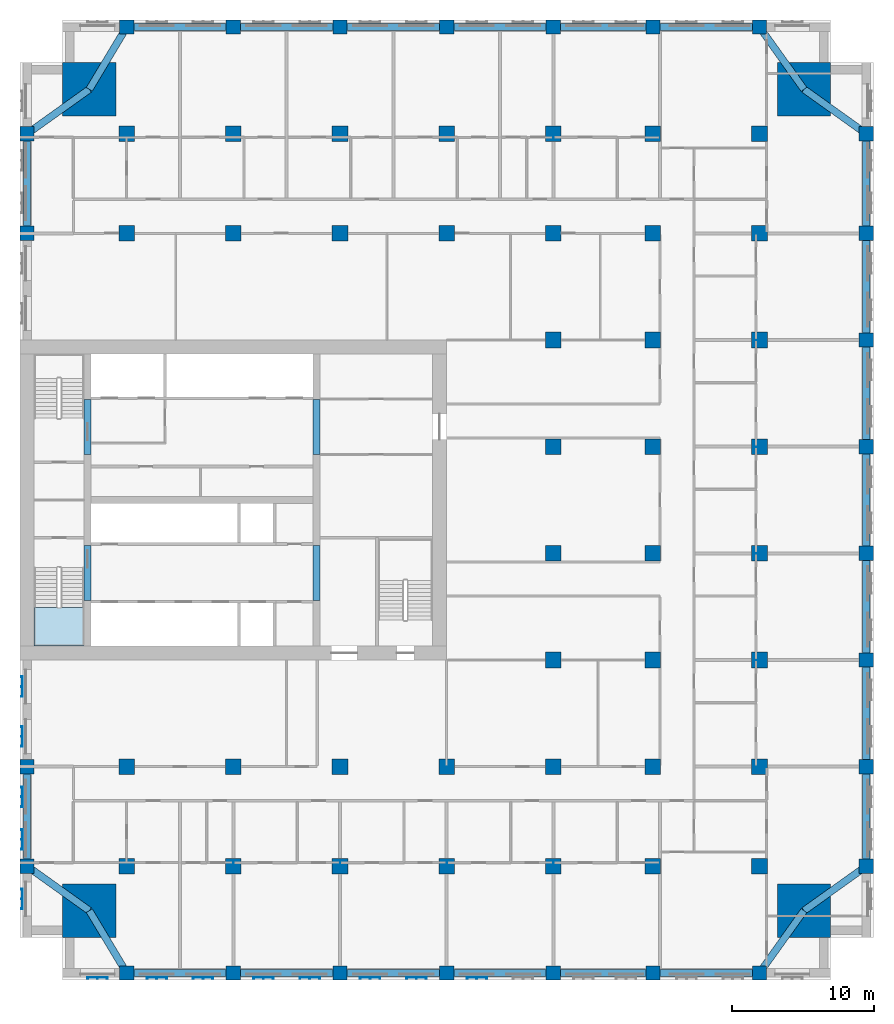
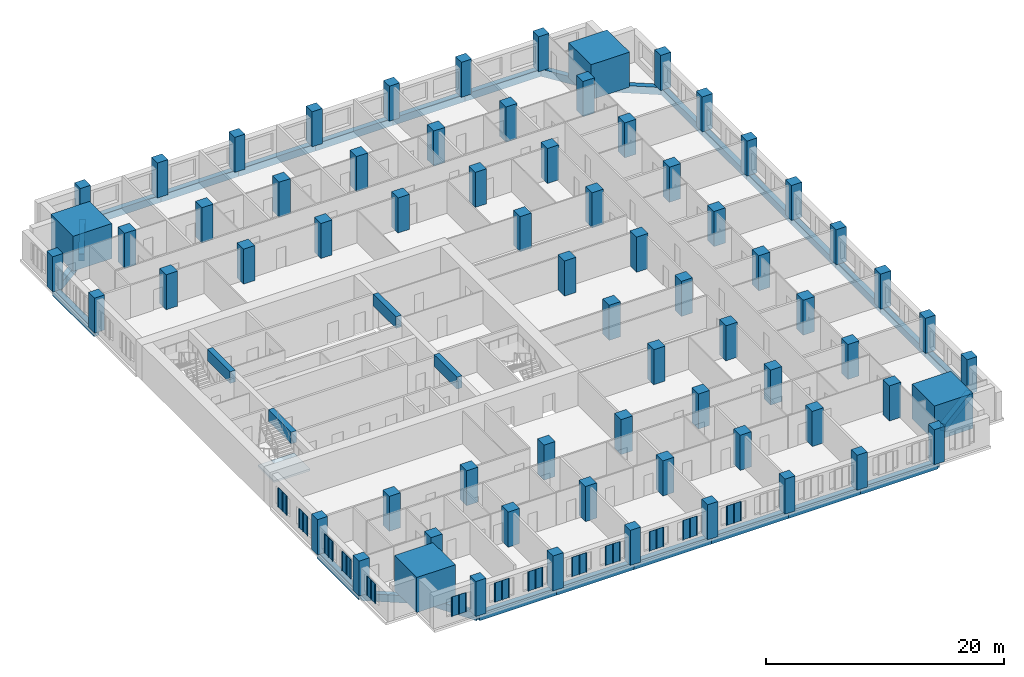
# One storey, part 1 of 14: 70 columns, 33 beams, 13 plates, 1 slab, 1 element without a shape of its own.
"""IFC4 building model written with IfcOpenShell, lengths in metres."""

import ifcopenshell
import ifcopenshell.guid

model = None  # the IFC model being written
_history = None  # IfcOwnerHistory: only IFC2X3 demands one
_inside = {}  # id of a spatial element -> (the spatial element, [elements in it])
_under = {}  # id of a project, library or spatial element -> (it, [spatial elements below it])
_declared = {}  # id of a project -> (the project, [libraries it declares])
_typed = {}  # id of a type object -> (the type object, [elements of that type])
_made_of = {}  # id of a material, layer set ... -> (it, [elements and type objects made of it])


def new_model(schema):
    """Start an empty IFC model of exactly this schema.

    Asked for "IFC4X3", IfcOpenShell would pick the latest addendum, in which some entities
    have other attributes; the version numbers below select the first issue.
    IFC2X3 requires an IfcOwnerHistory on every rooted entity: one is made here for all.
    """
    global model, _history
    if schema == "IFC4X3":
        model = ifcopenshell.file(schema_version=(4, 3, 0, 0))
    else:
        model = ifcopenshell.file(schema=schema)
    _inside.clear()
    _under.clear()
    _declared.clear()
    _typed.clear()
    _made_of.clear()
    _history = None
    if model.schema == "IFC2X3":
        org = make("IfcOrganization", Name="unknown")
        user = make(
            "IfcPersonAndOrganization",
            ThePerson=make("IfcPerson", FamilyName="unknown"),
            TheOrganization=org,
        )
        app = make(
            "IfcApplication",
            ApplicationDeveloper=org,
            Version="unknown",
            ApplicationFullName="unknown",
            ApplicationIdentifier="unknown",
        )
        _history = make(
            "IfcOwnerHistory",
            OwningUser=user,
            OwningApplication=app,
            ChangeAction="ADDED",
            CreationDate=0,
        )
    return model


def make(cls, **values):
    """One entity of the class cls with the attributes given. An attribute that is None is left unset."""
    return model.create_entity(
        cls, **{name: value for name, value in values.items() if value is not None}
    )


def rooted(cls, **values):
    """An entity with a GlobalId (a new one), such as an element, a storey or a relation."""
    return make(cls, GlobalId=ifcopenshell.guid.new(), OwnerHistory=_history, **values)


def si_unit(unit_type, name, prefix=None):
    """IfcSIUnit, for example si_unit("LENGTHUNIT", "METRE", prefix="MILLI")."""
    return make("IfcSIUnit", UnitType=unit_type, Prefix=prefix, Name=name)


def assignment(units):
    """IfcUnitAssignment: the units of a project."""
    return None if units is None else make("IfcUnitAssignment", Units=units)


def point(xyz):
    """IfcCartesianPoint."""
    return None if xyz is None else make("IfcCartesianPoint", Coordinates=xyz)


def direction(xyz):
    """IfcDirection."""
    return None if xyz is None else make("IfcDirection", DirectionRatios=xyz)


def frame(location, z_axis=None, x_axis=None):
    """IfcAxis2Placement3D, a coordinate frame: its origin and axes. An axis left out is left unset."""
    return make(
        "IfcAxis2Placement3D",
        Location=point(location),
        Axis=direction(z_axis),
        RefDirection=direction(x_axis),
    )


def frame_2d(location, x_axis=None):
    """IfcAxis2Placement2D, a coordinate frame in the plane: its origin and x axis."""
    return make(
        "IfcAxis2Placement2D", Location=point(location), RefDirection=direction(x_axis)
    )


def origin():
    """The frame at (0, 0, 0) with its axes left unset."""
    return frame((0.0, 0.0, 0.0))


def origin_2d():
    """The frame at (0, 0) in the plane with its x axis left unset."""
    return frame_2d((0.0, 0.0))


def place(relative_to, where):
    """IfcLocalPlacement: puts the frame where relative to a parent placement (None: the world)."""
    return make(
        "IfcLocalPlacement", PlacementRelTo=relative_to, RelativePlacement=where
    )


def context(
    kind, dimensions, precision=None, world=None, true_north=None, identifier=None
):
    """IfcGeometricRepresentationContext, for example the 3D "Model" context."""
    return make(
        "IfcGeometricRepresentationContext",
        ContextIdentifier=identifier,
        ContextType=kind,
        CoordinateSpaceDimension=dimensions,
        Precision=precision,
        WorldCoordinateSystem=world,
        TrueNorth=true_north,
    )


def subcontext(parent, identifier, kind, view, scale=None):
    """IfcGeometricRepresentationSubContext, for example "Body" below "Model"."""
    return make(
        "IfcGeometricRepresentationSubContext",
        ContextIdentifier=identifier,
        ContextType=kind,
        ParentContext=parent,
        TargetScale=scale,
        TargetView=view,
    )


def project(units=None, contexts=None):
    """IfcProject with its units and contexts."""
    return rooted(
        "IfcProject",
        Name="project",
        RepresentationContexts=contexts,
        UnitsInContext=assignment(units),
    )


def spatial(cls, under=None, at=None, **own):
    """A site, building, storey or space (cls), placed at a placement, below another one or the project."""
    s = rooted(cls, ObjectPlacement=at, **own)
    if under is not None:
        _under.setdefault(under.id(), (under, []))[1].append(s)
    return s


def polyline(points):
    """IfcPolyline through the points."""
    return make("IfcPolyline", Points=[point(p) for p in points])


def profile(cls, at=None, kind="AREA", **sizes):
    """A parametric profile (cls). Its sizes go by their IFC names, for example OverallWidth=200.0."""
    return make(cls, ProfileType=kind, Position=at, **sizes)


def rectangle(**sizes):
    """IfcRectangleProfileDef."""
    return profile("IfcRectangleProfileDef", **sizes)


def outline(outer, holes=None, kind="AREA"):
    """IfcArbitraryClosedProfileDef: a profile drawn as a closed curve; with holes, ...WithVoids."""
    if holes is None:
        return make("IfcArbitraryClosedProfileDef", ProfileType=kind, OuterCurve=outer)
    return make(
        "IfcArbitraryProfileDefWithVoids",
        ProfileType=kind,
        OuterCurve=outer,
        InnerCurves=holes,
    )


def extrude(swept, where, along, depth):
    """IfcExtrudedAreaSolid: the profile swept, set in the frame where, extruded along a direction by depth."""
    return make(
        "IfcExtrudedAreaSolid",
        SweptArea=swept,
        Position=where,
        ExtrudedDirection=direction(along),
        Depth=depth,
    )


def shape(context_of_items, identifier, shape_type, items):
    """IfcShapeRepresentation: the items that make up one representation, for example the "Body"."""
    return make(
        "IfcShapeRepresentation",
        ContextOfItems=context_of_items,
        RepresentationIdentifier=identifier,
        RepresentationType=shape_type,
        Items=items,
    )


def material(Name=None, Category=None):
    """IfcMaterial."""
    return make("IfcMaterial", Name=Name, Category=Category)


def layer(
    of_material, thickness, ventilated=None, Name=None, Category=None, Priority=None
):
    """IfcMaterialLayer: one layer of a wall or slab, of a material (None: an air gap)."""
    return make(
        "IfcMaterialLayer",
        Material=of_material,
        LayerThickness=thickness,
        IsVentilated=ventilated,
        Name=Name,
        Category=Category,
        Priority=Priority,
    )


def layer_set(layers, Name=None):
    """IfcMaterialLayerSet."""
    return make("IfcMaterialLayerSet", MaterialLayers=layers, LayerSetName=Name)


def material_profile(
    of_material, cross_section, Name=None, Category=None, Priority=None
):
    """IfcMaterialProfile: a cross section and its material."""
    return make(
        "IfcMaterialProfile",
        Name=Name,
        Material=of_material,
        Profile=cross_section,
        Priority=Priority,
        Category=Category,
    )


def profile_set(profiles, Name=None, composite=None):
    """IfcMaterialProfileSet."""
    return make(
        "IfcMaterialProfileSet",
        Name=Name,
        MaterialProfiles=profiles,
        CompositeProfile=composite,
    )


def made_of(thing, what):
    """Note that an element or type object is made of a material, layer set ...; save() writes the relation."""
    if what is not None:
        _made_of.setdefault(what.id(), (what, []))[1].append(thing)
    return thing


def type_object(cls, material=None, **own):
    """A type object (cls), such as IfcWallType, which elements share."""
    return made_of(rooted(cls, **own), material)


def element(
    cls,
    number,
    at=None,
    inside=None,
    cuts=None,
    type_object=None,
    material=None,
    context=None,
    identifier="Body",
    shape_type=None,
    held_by="IfcProductDefinitionShape",
    body=None,
    shapes=None,
    **own,
):
    """One element of the class cls, such as IfcWall. Its Tag is "e" and its number.

    at: its placement. inside: the storey or other place that contains it. cuts: it is an
    opening in that element (IfcRelVoidsElement). A single representation is given by context,
    identifier, shape_type and body (its items); several are given by shapes. held_by: the class
    of the entity that holds the representations. save() writes the other relations.
    """
    e = rooted(cls, Tag="e%d" % number, ObjectPlacement=at, **own)
    if body is not None:
        shapes = [shape(context, identifier, shape_type, body)]
    if shapes is not None:
        e.Representation = make(held_by, Representations=shapes)
    if inside is not None:
        _inside.setdefault(inside.id(), (inside, []))[1].append(e)
    if cuts is not None:
        rooted(
            "IfcRelVoidsElement", RelatingBuildingElement=cuts, RelatedOpeningElement=e
        )
    if type_object is not None:
        _typed.setdefault(type_object.id(), (type_object, []))[1].append(e)
    return made_of(e, material)


def aggregate(whole, parts):
    """IfcRelAggregates: a whole, such as a stair, and the parts it consists of."""
    return rooted("IfcRelAggregates", RelatingObject=whole, RelatedObjects=parts)


def save(model, path):
    """Write the relations noted so far, then the file.

    IfcRelAggregates (storeys below a building ...), IfcRelContainedInSpatialStructure (elements
    in a storey), IfcRelDefinesByType, IfcRelAssociatesMaterial and IfcRelDeclares: one each for
    every whole, place, type object, material and project.
    """
    for whole, parts in _under.values():
        aggregate(whole, parts)
    for where, things in _inside.values():
        rooted(
            "IfcRelContainedInSpatialStructure",
            RelatedElements=things,
            RelatingStructure=where,
        )
    for kind, things in _typed.values():
        rooted("IfcRelDefinesByType", RelatedObjects=things, RelatingType=kind)
    for what, things in _made_of.values():
        rooted("IfcRelAssociatesMaterial", RelatedObjects=things, RelatingMaterial=what)
    for by, libraries in _declared.values():
        rooted("IfcRelDeclares", RelatingContext=by, RelatedDefinitions=libraries)
    model.write(path)


model = new_model("IFC4")

# Units and contexts
model_context = context("Model", 3, precision=1e-05, world=origin(), true_north=direction((0.0, 1.0)))
body_context = subcontext(model_context, "Body", "Model", "MODEL_VIEW")
ifc_project = project(units=[si_unit("LENGTHUNIT", "METRE"), si_unit("AREAUNIT", "SQUARE_METRE"), si_unit("VOLUMEUNIT", "CUBIC_METRE"), si_unit("PLANEANGLEUNIT", "RADIAN"), si_unit("MASSUNIT", "GRAM", prefix="KILO")], contexts=[model_context])

# Site, building, storey
site_placement = place(None, origin())
site = spatial("IfcSite", under=ifc_project, at=site_placement, CompositionType="ELEMENT")
building_placement = place(site_placement, origin())
building = spatial("IfcBuilding", under=site, at=building_placement, Name="Tamorin Gate", CompositionType="ELEMENT")
storey_placement = place(building_placement, frame((0.0, 0.0, 86.300048828125)))
storey = spatial("IfcBuildingStorey", under=building, at=storey_placement, Name="L20", CompositionType="ELEMENT", Elevation=86.300048828125)

# Columns
ifc_material_1 = material(Name="Concrete C80/95", Category="concrete")
ifc_material_profile_1 = material_profile(ifc_material_1, rectangle(XDim=1.0, YDim=1.0, at=origin_2d()), Name="RC 1000x1000")
ifc_profile_set_1 = profile_set([ifc_material_profile_1], Name="Concrete C80/95")
column_type_1 = type_object("IfcColumnType", Name="RC column 1000x1000 C80/95", PredefinedType="COLUMN", material=ifc_profile_set_1)
for number, where, z_axis, x_axis, name in (
    (1, (30.5, 45.5, 0.0), (0.0, 0.0, 1.0), (1.0, 0.0, 0.0), "Ring column L20"),
    (2, (30.5, 52.5, 0.0), (0.0, 0.0, 1.0), (1.0, 0.0, 0.0), "Ring column L20"),
    (3, (30.5, 90.0, 0.0), (0.0, 0.0, 1.0), (1.0, 0.0, 0.0), "Ring column L20"),
    (4, (30.5, 97.0, 0.0), (0.0, 0.0, 1.0), (1.0, 0.0, 0.0), "Ring column L20"),
    (5, (37.5, 38.0, 0.0), (0.0, 0.0, 1.0), (1.0, 0.0, 0.0), "Ring column L20"),
    (6, (37.5, 104.5, 0.0), (0.0, 0.0, 1.0), (1.0, 0.0, 0.0), "Ring column L20"),
    (7, (45.0, 38.0, 0.0), (0.0, 0.0, 1.0), (1.0, 0.0, 0.0), "Ring column L20"),
    (8, (45.0, 104.5, 0.0), (0.0, 0.0, 1.0), (1.0, 0.0, 0.0), "Ring column L20"),
    (9, (52.5, 38.0, 0.0), (0.0, 0.0, 1.0), (1.0, 0.0, 0.0), "Ring column L20"),
    (10, (52.5, 104.5, 0.0), (0.0, 0.0, 1.0), (1.0, 0.0, 0.0), "Ring column L20"),
    (11, (60.0, 38.0, 0.0), (0.0, 0.0, 1.0), (1.0, 0.0, 0.0), "Ring column L20"),
    (12, (60.0, 104.5, 0.0), (0.0, 0.0, 1.0), (1.0, 0.0, 0.0), "Ring column L20"),
    (13, (67.5, 38.0, 0.0), (0.0, 0.0, 1.0), (1.0, 0.0, 0.0), "Ring column L20"),
    (14, (67.5, 104.5, 0.0), (0.0, 0.0, 1.0), (1.0, 0.0, 0.0), "Ring column L20"),
    (15, (74.5, 38.0, 0.0), (0.0, 0.0, 1.0), (1.0, 0.0, 0.0), "Ring column L20"),
    (16, (74.5, 104.5, 0.0), (0.0, 0.0, 1.0), (1.0, 0.0, 0.0), "Ring column L20"),
    (17, (82.0, 38.0, 0.0), (0.0, 0.0, 1.0), (1.0, 0.0, 0.0), "Ring column L20"),
    (18, (82.0, 104.5, 0.0), (0.0, 0.0, 1.0), (1.0, 0.0, 0.0), "Ring column L20"),
    (19, (89.5, 45.5, 0.0), (0.0, 0.0, 1.0), (1.0, 0.0, 0.0), "Ring column L20"),
    (20, (89.5, 52.5, 0.0), (0.0, 0.0, 1.0), (1.0, 0.0, 0.0), "Ring column L20"),
    (21, (89.5, 60.0, 0.0), (0.0, 0.0, 1.0), (1.0, 0.0, 0.0), "Ring column L20"),
    (22, (89.5, 67.5, 0.0), (0.0, 0.0, 1.0), (1.0, 0.0, 0.0), "Ring column L20"),
    (23, (89.5, 75.0, 0.0), (0.0, 0.0, 1.0), (1.0, 0.0, 0.0), "Ring column L20"),
    (24, (89.5, 82.5, 0.0), (0.0, 0.0, 1.0), (1.0, 0.0, 0.0), "Ring column L20"),
    (25, (89.5, 90.0, 0.0), (0.0, 0.0, 1.0), (1.0, 0.0, 0.0), "Ring column L20"),
    (26, (89.5, 97.0, 0.0), (0.0, 0.0, 1.0), (1.0, 0.0, 0.0), "Ring column L20"),
):
    element("IfcColumn", number, at=place(storey_placement, frame(where, z_axis=z_axis, x_axis=x_axis)), inside=storey, type_object=column_type_1, Name=name, PredefinedType="COLUMN", context=body_context, shape_type="SweptSolid", body=[
        extrude(rectangle(XDim=1.0, YDim=1.0, at=origin_2d()), origin(), (0.0, 0.0, 1.0), 3.599853515625),
    ])
ifc_material_profile_2 = material_profile(ifc_material_1, rectangle(XDim=1.10009765625, YDim=1.10009765625, at=origin_2d()), Name="RC 1100x1100")
ifc_profile_set_2 = profile_set([ifc_material_profile_2], Name="Concrete C80/95")
column_type_2 = type_object("IfcColumnType", Name="RC column 1100x1100 C80/95", PredefinedType="COLUMN", material=ifc_profile_set_2)
for number, where, z_axis, x_axis, name in (
    (27, (37.5, 45.5, 0.0), (0.0, 0.0, 1.0), (1.0, 0.0, 0.0), "Interior column L20"),
    (28, (37.5, 52.5, 0.0), (0.0, 0.0, 1.0), (1.0, 0.0, 0.0), "Interior column L20"),
    (29, (37.5, 90.0, 0.0), (0.0, 0.0, 1.0), (1.0, 0.0, 0.0), "Interior column L20"),
    (30, (37.5, 97.0, 0.0), (0.0, 0.0, 1.0), (1.0, 0.0, 0.0), "Interior column L20"),
    (31, (45.0, 45.5, 0.0), (0.0, 0.0, 1.0), (1.0, 0.0, 0.0), "Interior column L20"),
    (32, (45.0, 52.5, 0.0), (0.0, 0.0, 1.0), (1.0, 0.0, 0.0), "Interior column L20"),
    (33, (45.0, 90.0, 0.0), (0.0, 0.0, 1.0), (1.0, 0.0, 0.0), "Interior column L20"),
    (34, (45.0, 97.0, 0.0), (0.0, 0.0, 1.0), (1.0, 0.0, 0.0), "Interior column L20"),
    (35, (52.5, 45.5, 0.0), (0.0, 0.0, 1.0), (1.0, 0.0, 0.0), "Interior column L20"),
    (36, (52.5, 52.5, 0.0), (0.0, 0.0, 1.0), (1.0, 0.0, 0.0), "Interior column L20"),
    (37, (52.5, 90.0, 0.0), (0.0, 0.0, 1.0), (1.0, 0.0, 0.0), "Interior column L20"),
    (38, (52.5, 97.0, 0.0), (0.0, 0.0, 1.0), (1.0, 0.0, 0.0), "Interior column L20"),
    (39, (60.0, 45.5, 0.0), (0.0, 0.0, 1.0), (1.0, 0.0, 0.0), "Interior column L20"),
    (40, (60.0, 52.5, 0.0), (0.0, 0.0, 1.0), (1.0, 0.0, 0.0), "Interior column L20"),
    (41, (60.0, 90.0, 0.0), (0.0, 0.0, 1.0), (1.0, 0.0, 0.0), "Interior column L20"),
    (42, (60.0, 97.0, 0.0), (0.0, 0.0, 1.0), (1.0, 0.0, 0.0), "Interior column L20"),
    (43, (67.5, 45.5, 0.0), (0.0, 0.0, 1.0), (1.0, 0.0, 0.0), "Interior column L20"),
    (44, (67.5, 52.5, 0.0), (0.0, 0.0, 1.0), (1.0, 0.0, 0.0), "Interior column L20"),
    (45, (67.5, 60.0, 0.0), (0.0, 0.0, 1.0), (1.0, 0.0, 0.0), "Interior column L20"),
    (46, (67.5, 67.5, 0.0), (0.0, 0.0, 1.0), (1.0, 0.0, 0.0), "Interior column L20"),
    (47, (67.5, 75.0, 0.0), (0.0, 0.0, 1.0), (1.0, 0.0, 0.0), "Interior column L20"),
    (48, (67.5, 82.5, 0.0), (0.0, 0.0, 1.0), (1.0, 0.0, 0.0), "Interior column L20"),
    (49, (67.5, 90.0, 0.0), (0.0, 0.0, 1.0), (1.0, 0.0, 0.0), "Interior column L20"),
    (50, (67.5, 97.0, 0.0), (0.0, 0.0, 1.0), (1.0, 0.0, 0.0), "Interior column L20"),
    (51, (74.5, 45.5, 0.0), (0.0, 0.0, 1.0), (1.0, 0.0, 0.0), "Interior column L20"),
    (52, (74.5, 52.5, 0.0), (0.0, 0.0, 1.0), (1.0, 0.0, 0.0), "Interior column L20"),
    (53, (74.5, 60.0, 0.0), (0.0, 0.0, 1.0), (1.0, 0.0, 0.0), "Interior column L20"),
    (54, (74.5, 67.5, 0.0), (0.0, 0.0, 1.0), (1.0, 0.0, 0.0), "Interior column L20"),
    (55, (74.5, 75.0, 0.0), (0.0, 0.0, 1.0), (1.0, 0.0, 0.0), "Interior column L20"),
    (56, (74.5, 82.5, 0.0), (0.0, 0.0, 1.0), (1.0, 0.0, 0.0), "Interior column L20"),
    (57, (74.5, 90.0, 0.0), (0.0, 0.0, 1.0), (1.0, 0.0, 0.0), "Interior column L20"),
    (58, (74.5, 97.0, 0.0), (0.0, 0.0, 1.0), (1.0, 0.0, 0.0), "Interior column L20"),
    (59, (82.0, 45.5, 0.0), (0.0, 0.0, 1.0), (1.0, 0.0, 0.0), "Interior column L20"),
    (60, (82.0, 52.5, 0.0), (0.0, 0.0, 1.0), (1.0, 0.0, 0.0), "Interior column L20"),
    (61, (82.0, 60.0, 0.0), (0.0, 0.0, 1.0), (1.0, 0.0, 0.0), "Interior column L20"),
    (62, (82.0, 67.5, 0.0), (0.0, 0.0, 1.0), (1.0, 0.0, 0.0), "Interior column L20"),
    (63, (82.0, 75.0, 0.0), (0.0, 0.0, 1.0), (1.0, 0.0, 0.0), "Interior column L20"),
    (64, (82.0, 82.5, 0.0), (0.0, 0.0, 1.0), (1.0, 0.0, 0.0), "Interior column L20"),
    (65, (82.0, 90.0, 0.0), (0.0, 0.0, 1.0), (1.0, 0.0, 0.0), "Interior column L20"),
    (66, (82.0, 97.0, 0.0), (0.0, 0.0, 1.0), (1.0, 0.0, 0.0), "Interior column L20"),
):
    element("IfcColumn", number, at=place(storey_placement, frame(where, z_axis=z_axis, x_axis=x_axis)), inside=storey, type_object=column_type_2, Name=name, PredefinedType="COLUMN", context=body_context, shape_type="SweptSolid", body=[
        extrude(rectangle(XDim=1.10009765625, YDim=1.10009765625, at=origin_2d()), origin(), (0.0, 0.0, 1.0), 3.599853515625),
    ])
ifc_material_profile_3 = material_profile(ifc_material_1, rectangle(XDim=3.75, YDim=3.75, at=origin_2d()), Name="RC 3750x3750")
ifc_profile_set_3 = profile_set([ifc_material_profile_3], Name="Concrete C80/95")
column_type_3 = type_object("IfcColumnType", Name="RC column 3750x3750 C80/95", PredefinedType="COLUMN", material=ifc_profile_set_3)
for number, where, z_axis, x_axis, name in (
    (67, (34.875, 42.375, 0.0), (0.0, 0.0, 1.0), (1.0, 0.0, 0.0), "Mega column SW L20"),
    (68, (85.125, 42.375, 0.0), (0.0, 0.0, 1.0), (1.0, 0.0, 0.0), "Mega column SE L20"),
    (69, (34.875, 100.125, 0.0), (0.0, 0.0, 1.0), (1.0, 0.0, 0.0), "Mega column NW L20"),
    (70, (85.125, 100.125, 0.0), (0.0, 0.0, 1.0), (1.0, 0.0, 0.0), "Mega column NE L20"),
):
    element("IfcColumn", number, at=place(storey_placement, frame(where, z_axis=z_axis, x_axis=x_axis)), inside=storey, type_object=column_type_3, Name=name, PredefinedType="COLUMN", context=body_context, shape_type="SweptSolid", body=[
        extrude(rectangle(XDim=3.75, YDim=3.75, at=origin_2d()), origin(), (0.0, 0.0, 1.0), 3.599853515625),
    ])

# Beams
ifc_material_profile_4 = material_profile(ifc_material_1, rectangle(XDim=0.5, YDim=1.199951171875, at=origin_2d()), Name="RC 500x1200")
ifc_profile_set_4 = profile_set([ifc_material_profile_4], Name="Concrete C80/95")
beam_type_1 = type_object("IfcBeamType", Name="RC coupling beam 500x1200 C80/95", PredefinedType="BEAM", material=ifc_profile_set_4)
for number, where, z_axis, x_axis, name in (
    (71, (34.75, 64.199951171875, 3.0), (0.0, 1.0, 0.0), (-1.0, 0.0, 0.0), "Coupling beam L20"),
    (72, (34.75, 74.449951171875, 3.0), (0.0, 1.0, 0.0), (-1.0, 0.0, 0.0), "Coupling beam L20"),
    (73, (50.85009765625, 64.199951171875, 3.0), (0.0, 1.0, 0.0), (-1.0, 0.0, 0.0), "Coupling beam L20"),
    (74, (50.85009765625, 74.449951171875, 3.0), (0.0, 1.0, 0.0), (-1.0, 0.0, 0.0), "Coupling beam L20"),
):
    element("IfcBeam", number, at=place(storey_placement, frame(where, z_axis=z_axis, x_axis=x_axis)), inside=storey, type_object=beam_type_1, Name=name, PredefinedType="BEAM", context=body_context, shape_type="SweptSolid", body=[
        extrude(rectangle(XDim=0.5, YDim=1.199951171875, at=origin_2d()), origin(), (0.0, 0.0, 1.0), 3.85009765625),
    ])
ifc_material_2 = material(Name="Concrete C50/60", Category="concrete")
ifc_material_profile_5 = material_profile(ifc_material_2, rectangle(XDim=0.5, YDim=0.75, at=origin_2d()), Name="RC 500x750")
ifc_profile_set_5 = profile_set([ifc_material_profile_5], Name="Concrete C50/60")
beam_type_2 = type_object("IfcBeamType", Name="RC spandrel 500x750 C50/60", PredefinedType="BEAM", material=ifc_profile_set_5)
for number, where, z_axis, x_axis, name in (
    (75, (37.5, 38.0, -0.375), (1.0, 0.0, 0.0), (0.0, 1.0, 0.0), "Spandrel beam L20"),
    (76, (45.0, 38.0, -0.375), (1.0, 0.0, 0.0), (0.0, 1.0, 0.0), "Spandrel beam L20"),
    (77, (52.5, 38.0, -0.375), (1.0, 0.0, 0.0), (0.0, 1.0, 0.0), "Spandrel beam L20"),
    (78, (60.0, 38.0, -0.375), (1.0, 0.0, 0.0), (0.0, 1.0, 0.0), "Spandrel beam L20"),
):
    element("IfcBeam", number, at=place(storey_placement, frame(where, z_axis=z_axis, x_axis=x_axis)), inside=storey, type_object=beam_type_2, Name=name, PredefinedType="BEAM", context=body_context, shape_type="SweptSolid", body=[
        extrude(rectangle(XDim=0.5, YDim=0.75, at=origin_2d()), origin(), (0.0, 0.0, 1.0), 7.5),
    ])
beam_1_placement = place(storey_placement, frame((67.5, 38.0, -0.375), z_axis=(1.0, 0.0, 0.0), x_axis=(0.0, 1.0, 0.0)))
element("IfcBeam", 79, at=beam_1_placement, inside=storey, type_object=beam_type_2, Name="Spandrel beam L20", PredefinedType="BEAM", context=body_context, shape_type="SweptSolid", body=[
    extrude(rectangle(XDim=0.5, YDim=0.75, at=origin_2d()), origin(), (0.0, 0.0, 1.0), 7.0),
])
beam_2_placement = place(storey_placement, frame((74.5, 38.0, -0.375), z_axis=(1.0, 0.0, 0.0), x_axis=(0.0, 1.0, 0.0)))
element("IfcBeam", 80, at=beam_2_placement, inside=storey, type_object=beam_type_2, Name="Spandrel beam L20", PredefinedType="BEAM", context=body_context, shape_type="SweptSolid", body=[
    extrude(rectangle(XDim=0.5, YDim=0.75, at=origin_2d()), origin(), (0.0, 0.0, 1.0), 7.5),
])
beam_3_placement = place(storey_placement, frame((89.5, 45.5, -0.375), z_axis=(0.0, 1.0, 0.0), x_axis=(-1.0, 0.0, 0.0)))
element("IfcBeam", 81, at=beam_3_placement, inside=storey, type_object=beam_type_2, Name="Spandrel beam L20", PredefinedType="BEAM", context=body_context, shape_type="SweptSolid", body=[
    extrude(rectangle(XDim=0.5, YDim=0.75, at=origin_2d()), origin(), (0.0, 0.0, 1.0), 7.0),
])
for number, where, z_axis, x_axis, name in (
    (82, (89.5, 52.5, -0.375), (0.0, 1.0, 0.0), (-1.0, 0.0, 0.0), "Spandrel beam L20"),
    (83, (89.5, 60.0, -0.375), (0.0, 1.0, 0.0), (-1.0, 0.0, 0.0), "Spandrel beam L20"),
    (84, (89.5, 67.5, -0.375), (0.0, 1.0, 0.0), (-1.0, 0.0, 0.0), "Spandrel beam L20"),
    (85, (89.5, 75.0, -0.375), (0.0, 1.0, 0.0), (-1.0, 0.0, 0.0), "Spandrel beam L20"),
    (86, (89.5, 82.5, -0.375), (0.0, 1.0, 0.0), (-1.0, 0.0, 0.0), "Spandrel beam L20"),
):
    element("IfcBeam", number, at=place(storey_placement, frame(where, z_axis=z_axis, x_axis=x_axis)), inside=storey, type_object=beam_type_2, Name=name, PredefinedType="BEAM", context=body_context, shape_type="SweptSolid", body=[
        extrude(rectangle(XDim=0.5, YDim=0.75, at=origin_2d()), origin(), (0.0, 0.0, 1.0), 7.5),
    ])
beam_4_placement = place(storey_placement, frame((89.5, 90.0, -0.375), z_axis=(0.0, 1.0, 0.0), x_axis=(-1.0, 0.0, 0.0)))
element("IfcBeam", 87, at=beam_4_placement, inside=storey, type_object=beam_type_2, Name="Spandrel beam L20", PredefinedType="BEAM", context=body_context, shape_type="SweptSolid", body=[
    extrude(rectangle(XDim=0.5, YDim=0.75, at=origin_2d()), origin(), (0.0, 0.0, 1.0), 7.0),
])
beam_5_placement = place(storey_placement, frame((82.0, 104.5, -0.375), z_axis=(-1.0, 0.0, 0.0), x_axis=(0.0, -1.0, 0.0)))
element("IfcBeam", 88, at=beam_5_placement, inside=storey, type_object=beam_type_2, Name="Spandrel beam L20", PredefinedType="BEAM", context=body_context, shape_type="SweptSolid", body=[
    extrude(rectangle(XDim=0.5, YDim=0.75, at=origin_2d()), origin(), (0.0, 0.0, 1.0), 7.5),
])
beam_6_placement = place(storey_placement, frame((74.5, 104.5, -0.375), z_axis=(-1.0, 0.0, 0.0), x_axis=(0.0, -1.0, 0.0)))
element("IfcBeam", 89, at=beam_6_placement, inside=storey, type_object=beam_type_2, Name="Spandrel beam L20", PredefinedType="BEAM", context=body_context, shape_type="SweptSolid", body=[
    extrude(rectangle(XDim=0.5, YDim=0.75, at=origin_2d()), origin(), (0.0, 0.0, 1.0), 7.0),
])
for number, where, z_axis, x_axis, name in (
    (90, (67.5, 104.5, -0.375), (-1.0, 0.0, 0.0), (0.0, -1.0, 0.0), "Spandrel beam L20"),
    (91, (60.0, 104.5, -0.375), (-1.0, 0.0, 0.0), (0.0, -1.0, 0.0), "Spandrel beam L20"),
    (92, (52.5, 104.5, -0.375), (-1.0, 0.0, 0.0), (0.0, -1.0, 0.0), "Spandrel beam L20"),
    (93, (45.0, 104.5, -0.375), (-1.0, 0.0, 0.0), (0.0, -1.0, 0.0), "Spandrel beam L20"),
):
    element("IfcBeam", number, at=place(storey_placement, frame(where, z_axis=z_axis, x_axis=x_axis)), inside=storey, type_object=beam_type_2, Name=name, PredefinedType="BEAM", context=body_context, shape_type="SweptSolid", body=[
        extrude(rectangle(XDim=0.5, YDim=0.75, at=origin_2d()), origin(), (0.0, 0.0, 1.0), 7.5),
    ])
for number, where, z_axis, x_axis, name in (
    (94, (30.5, 97.0, -0.375), (0.0, -1.0, 0.0), (1.0, 0.0, 0.0), "Spandrel beam L20"),
    (95, (30.5, 52.5, -0.375), (0.0, -1.0, 0.0), (1.0, 0.0, 0.0), "Spandrel beam L20"),
):
    element("IfcBeam", number, at=place(storey_placement, frame(where, z_axis=z_axis, x_axis=x_axis)), inside=storey, type_object=beam_type_2, Name=name, PredefinedType="BEAM", context=body_context, shape_type="SweptSolid", body=[
        extrude(rectangle(XDim=0.5, YDim=0.75, at=origin_2d()), origin(), (0.0, 0.0, 1.0), 7.0),
    ])
beam_7_placement = place(storey_placement, frame((34.875, 42.375, -0.375), z_axis=(0.514495755428, -0.857492925713, 0.0), x_axis=(0.857492925713, 0.514495755428, 0.0)))
element("IfcBeam", 96, at=beam_7_placement, inside=storey, type_object=beam_type_2, Name="Corner tie beam L20", PredefinedType="BEAM", context=body_context, shape_type="SweptSolid", body=[
    extrude(rectangle(XDim=0.5, YDim=0.75, at=origin_2d()), origin(), (0.0, 0.0, 1.0), 5.10205078125),
])
for number, where, z_axis, x_axis, name in (
    (97, (34.875, 42.375, -0.375), (-0.813733471207, 0.581238193719, 0.0), (-0.581238193719, -0.813733471207, 0.0), "Corner tie beam L20"),
    (98, (85.125, 42.375, -0.375), (-0.581238193719, -0.813733471207, 0.0), (0.813733471207, -0.581238193719, 0.0), "Corner tie beam L20"),
    (99, (85.125, 42.375, -0.375), (0.813733471207, 0.581238193719, 0.0), (-0.581238193719, 0.813733471207, 0.0), "Corner tie beam L20"),
):
    element("IfcBeam", number, at=place(storey_placement, frame(where, z_axis=z_axis, x_axis=x_axis)), inside=storey, type_object=beam_type_2, Name=name, PredefinedType="BEAM", context=body_context, shape_type="SweptSolid", body=[
        extrude(rectangle(XDim=0.5, YDim=0.75, at=origin_2d()), origin(), (0.0, 0.0, 1.0), 5.37646484375),
    ])
beam_8_placement = place(storey_placement, frame((34.875, 100.125, -0.375), z_axis=(0.514495755428, 0.857492925713, 0.0), x_axis=(-0.857492925713, 0.514495755428, 0.0)))
element("IfcBeam", 100, at=beam_8_placement, inside=storey, type_object=beam_type_2, Name="Corner tie beam L20", PredefinedType="BEAM", context=body_context, shape_type="SweptSolid", body=[
    extrude(rectangle(XDim=0.5, YDim=0.75, at=origin_2d()), origin(), (0.0, 0.0, 1.0), 5.10205078125),
])
for number, where, z_axis, x_axis, name in (
    (101, (34.875, 100.125, -0.375), (-0.813733471207, -0.581238193719, 0.0), (0.581238193719, -0.813733471207, 0.0), "Corner tie beam L20"),
    (102, (85.125, 100.125, -0.375), (-0.581238193719, 0.813733471207, 0.0), (-0.813733471207, -0.581238193719, 0.0), "Corner tie beam L20"),
    (103, (85.125, 100.125, -0.375), (0.813733471207, -0.581238193719, 0.0), (0.581238193719, 0.813733471207, 0.0), "Corner tie beam L20"),
):
    element("IfcBeam", number, at=place(storey_placement, frame(where, z_axis=z_axis, x_axis=x_axis)), inside=storey, type_object=beam_type_2, Name=name, PredefinedType="BEAM", context=body_context, shape_type="SweptSolid", body=[
        extrude(rectangle(XDim=0.5, YDim=0.75, at=origin_2d()), origin(), (0.0, 0.0, 1.0), 5.37646484375),
    ])

# Stair, slab
ifc_material_3 = material(Name="Concrete C40/50", Category="concrete")
stair_type = type_object("IfcStairType", Name="Exit stair", PredefinedType="HALF_TURN_STAIR", material=ifc_material_3)
stair_placement = place(storey_placement, origin())
stair = element("IfcStair", 104, at=stair_placement, inside=storey, type_object=stair_type, Name="L20 stair ST1", PredefinedType="HALF_TURN_STAIR")
ifc_layer_1 = layer(ifc_material_3, 0.199951171875)
ifc_layer_set_1 = layer_set([ifc_layer_1], Name="Exit stair landing 200")
slab_type = type_object("IfcSlabType", Name="Exit stair landing 200", PredefinedType="LANDING", material=ifc_layer_set_1)
slab_placement = place(storey_placement, frame((0.0, 0.0, 1.599853515625)))
slab = element("IfcSlab", 105, at=slab_placement, type_object=slab_type, Name="ST1 landing 1", PredefinedType="LANDING", context=body_context, shape_type="SweptSolid", body=[
    extrude(outline(polyline([(31.0, 63.699951171875), (31.0, 61.0), (34.5, 61.0), (34.5, 63.699951171875), (31.0, 63.699951171875)])), origin(), (0.0, 0.0, 1.0), 0.2001953125),
])
aggregate(stair, [slab])

# Plates
ifc_material_4 = material(Name="Perforated pale aluminium sheet", Category="aluminium")
ifc_layer_2 = layer(ifc_material_4, 0.0400390625)
ifc_layer_set_2 = layer_set([ifc_layer_2], Name="Pale metal solar screen 1440")
plate_type = type_object("IfcPlateType", Name="Pale metal solar screen 1440", PredefinedType="SHEET", material=ifc_layer_set_2)
plate_1_placement = place(storey_placement, frame((0.0, 0.0, 0.7099609375)))
element("IfcPlate", 106, at=plate_1_placement, inside=storey, type_object=plate_type, Name="Perforated solar screen", PredefinedType="SHEET", context=body_context, shape_type="SweptSolid", body=[
    extrude(outline(polyline([(34.72998046875, 37.659912109375), (34.72998046875, 37.699951171875), (34.7900390625, 37.699951171875), (35.419921875, 37.699951171875), (35.47998046875, 37.699951171875), (36.110107421875, 37.699951171875), (36.169921875, 37.699951171875), (36.169921875, 37.659912109375), (36.169921875, 37.60009765625), (36.110107421875, 37.60009765625), (36.110107421875, 37.659912109375), (35.47998046875, 37.659912109375), (35.47998046875, 37.60009765625), (35.419921875, 37.60009765625), (35.419921875, 37.659912109375), (34.7900390625, 37.659912109375), (34.7900390625, 37.60009765625), (34.72998046875, 37.60009765625), (34.72998046875, 37.659912109375)])), origin(), (0.0, 0.0, 1.0), 1.97998046875),
])
plate_2_placement = place(storey_placement, frame((0.0, 0.0, 0.7099609375)))
element("IfcPlate", 107, at=plate_2_placement, inside=storey, type_object=plate_type, Name="Perforated solar screen", PredefinedType="SHEET", context=body_context, shape_type="SweptSolid", body=[
    extrude(outline(polyline([(38.905029296875, 37.659912109375), (38.905029296875, 37.699951171875), (38.965087890625, 37.699951171875), (39.594970703125, 37.699951171875), (39.655029296875, 37.699951171875), (40.284912109375, 37.699951171875), (40.344970703125, 37.699951171875), (40.344970703125, 37.699951171875), (40.344970703125, 37.659912109375), (40.344970703125, 37.659912109375), (40.344970703125, 37.60009765625), (40.284912109375, 37.60009765625), (40.284912109375, 37.659912109375), (39.655029296875, 37.659912109375), (39.655029296875, 37.60009765625), (39.594970703125, 37.60009765625), (39.594970703125, 37.659912109375), (38.965087890625, 37.659912109375), (38.965087890625, 37.60009765625), (38.905029296875, 37.60009765625), (38.905029296875, 37.659912109375)])), origin(), (0.0, 0.0, 1.0), 1.97998046875),
])
plate_3_placement = place(storey_placement, frame((0.0, 0.0, 0.7099609375)))
element("IfcPlate", 108, at=plate_3_placement, inside=storey, type_object=plate_type, Name="Perforated solar screen", PredefinedType="SHEET", context=body_context, shape_type="SweptSolid", body=[
    extrude(outline(polyline([(42.155029296875, 37.659912109375), (42.155029296875, 37.699951171875), (42.215087890625, 37.699951171875), (42.844970703125, 37.699951171875), (42.905029296875, 37.699951171875), (43.534912109375, 37.699951171875), (43.594970703125, 37.699951171875), (43.594970703125, 37.659912109375), (43.594970703125, 37.60009765625), (43.534912109375, 37.60009765625), (43.534912109375, 37.659912109375), (42.905029296875, 37.659912109375), (42.905029296875, 37.60009765625), (42.844970703125, 37.60009765625), (42.844970703125, 37.659912109375), (42.215087890625, 37.659912109375), (42.215087890625, 37.60009765625), (42.155029296875, 37.60009765625), (42.155029296875, 37.659912109375)])), origin(), (0.0, 0.0, 1.0), 1.97998046875),
])
plate_4_placement = place(storey_placement, frame((0.0, 0.0, 0.7099609375)))
element("IfcPlate", 109, at=plate_4_placement, inside=storey, type_object=plate_type, Name="Perforated solar screen", PredefinedType="SHEET", context=body_context, shape_type="SweptSolid", body=[
    extrude(outline(polyline([(46.405029296875, 37.659912109375), (46.405029296875, 37.699951171875), (46.465087890625, 37.699951171875), (47.094970703125, 37.699951171875), (47.155029296875, 37.699951171875), (47.784912109375, 37.699951171875), (47.844970703125, 37.699951171875), (47.844970703125, 37.659912109375), (47.844970703125, 37.60009765625), (47.784912109375, 37.60009765625), (47.784912109375, 37.659912109375), (47.155029296875, 37.659912109375), (47.155029296875, 37.60009765625), (47.094970703125, 37.60009765625), (47.094970703125, 37.659912109375), (46.465087890625, 37.659912109375), (46.465087890625, 37.60009765625), (46.405029296875, 37.60009765625), (46.405029296875, 37.659912109375)])), origin(), (0.0, 0.0, 1.0), 1.97998046875),
])
plate_5_placement = place(storey_placement, frame((0.0, 0.0, 0.7099609375)))
element("IfcPlate", 110, at=plate_5_placement, inside=storey, type_object=plate_type, Name="Perforated solar screen", PredefinedType="SHEET", context=body_context, shape_type="SweptSolid", body=[
    extrude(outline(polyline([(49.655029296875, 37.659912109375), (49.655029296875, 37.699951171875), (49.715087890625, 37.699951171875), (50.344970703125, 37.699951171875), (50.405029296875, 37.699951171875), (51.034912109375, 37.699951171875), (51.094970703125, 37.699951171875), (51.094970703125, 37.659912109375), (51.094970703125, 37.60009765625), (51.034912109375, 37.60009765625), (51.034912109375, 37.659912109375), (50.405029296875, 37.659912109375), (50.405029296875, 37.60009765625), (50.344970703125, 37.60009765625), (50.344970703125, 37.659912109375), (49.715087890625, 37.659912109375), (49.715087890625, 37.60009765625), (49.655029296875, 37.60009765625), (49.655029296875, 37.659912109375)])), origin(), (0.0, 0.0, 1.0), 1.97998046875),
])
plate_6_placement = place(storey_placement, frame((0.0, 0.0, 0.7099609375)))
element("IfcPlate", 111, at=plate_6_placement, inside=storey, type_object=plate_type, Name="Perforated solar screen", PredefinedType="SHEET", context=body_context, shape_type="SweptSolid", body=[
    extrude(outline(polyline([(53.905029296875, 37.659912109375), (53.905029296875, 37.699951171875), (53.965087890625, 37.699951171875), (54.594970703125, 37.699951171875), (54.655029296875, 37.699951171875), (55.284912109375, 37.699951171875), (55.344970703125, 37.699951171875), (55.344970703125, 37.659912109375), (55.344970703125, 37.60009765625), (55.284912109375, 37.60009765625), (55.284912109375, 37.659912109375), (54.655029296875, 37.659912109375), (54.655029296875, 37.60009765625), (54.594970703125, 37.60009765625), (54.594970703125, 37.659912109375), (53.965087890625, 37.659912109375), (53.965087890625, 37.60009765625), (53.905029296875, 37.60009765625), (53.905029296875, 37.659912109375)])), origin(), (0.0, 0.0, 1.0), 1.97998046875),
])
plate_7_placement = place(storey_placement, frame((0.0, 0.0, 0.7099609375)))
element("IfcPlate", 112, at=plate_7_placement, inside=storey, type_object=plate_type, Name="Perforated solar screen", PredefinedType="SHEET", context=body_context, shape_type="SweptSolid", body=[
    extrude(outline(polyline([(57.155029296875, 37.659912109375), (57.155029296875, 37.699951171875), (57.215087890625, 37.699951171875), (57.844970703125, 37.699951171875), (57.905029296875, 37.699951171875), (58.534912109375, 37.699951171875), (58.594970703125, 37.699951171875), (58.594970703125, 37.659912109375), (58.594970703125, 37.60009765625), (58.534912109375, 37.60009765625), (58.534912109375, 37.659912109375), (57.905029296875, 37.659912109375), (57.905029296875, 37.60009765625), (57.844970703125, 37.60009765625), (57.844970703125, 37.659912109375), (57.215087890625, 37.659912109375), (57.215087890625, 37.60009765625), (57.155029296875, 37.60009765625), (57.155029296875, 37.659912109375)])), origin(), (0.0, 0.0, 1.0), 1.97998046875),
])
plate_8_placement = place(storey_placement, frame((0.0, 0.0, 0.7099609375)))
element("IfcPlate", 113, at=plate_8_placement, inside=storey, type_object=plate_type, Name="Perforated solar screen", PredefinedType="SHEET", context=body_context, shape_type="SweptSolid", body=[
    extrude(outline(polyline([(61.405029296875, 37.659912109375), (61.405029296875, 37.699951171875), (61.465087890625, 37.699951171875), (62.094970703125, 37.699951171875), (62.155029296875, 37.699951171875), (62.784912109375, 37.699951171875), (62.844970703125, 37.699951171875), (62.844970703125, 37.659912109375), (62.844970703125, 37.60009765625), (62.784912109375, 37.60009765625), (62.784912109375, 37.659912109375), (62.155029296875, 37.659912109375), (62.155029296875, 37.60009765625), (62.094970703125, 37.60009765625), (62.094970703125, 37.659912109375), (61.465087890625, 37.659912109375), (61.465087890625, 37.60009765625), (61.405029296875, 37.60009765625), (61.405029296875, 37.659912109375)])), origin(), (0.0, 0.0, 1.0), 1.97998046875),
])
plate_9_placement = place(storey_placement, frame((0.0, 0.0, 0.7099609375)))
element("IfcPlate", 114, at=plate_9_placement, inside=storey, type_object=plate_type, Name="Perforated solar screen", PredefinedType="SHEET", context=body_context, shape_type="SweptSolid", body=[
    extrude(outline(polyline([(30.159912109375, 55.344970703125), (30.199951171875, 55.344970703125), (30.199951171875, 55.284912109375), (30.199951171875, 54.655029296875), (30.199951171875, 54.594970703125), (30.199951171875, 53.965087890625), (30.199951171875, 53.905029296875), (30.159912109375, 53.905029296875), (30.10009765625, 53.905029296875), (30.10009765625, 53.965087890625), (30.159912109375, 53.965087890625), (30.159912109375, 54.594970703125), (30.10009765625, 54.594970703125), (30.10009765625, 54.655029296875), (30.159912109375, 54.655029296875), (30.159912109375, 55.284912109375), (30.10009765625, 55.284912109375), (30.10009765625, 55.344970703125), (30.159912109375, 55.344970703125)])), origin(), (0.0, 0.0, 1.0), 1.97998046875),
])
plate_10_placement = place(storey_placement, frame((0.0, 0.0, 0.7099609375)))
element("IfcPlate", 115, at=plate_10_placement, inside=storey, type_object=plate_type, Name="Perforated solar screen", PredefinedType="SHEET", context=body_context, shape_type="SweptSolid", body=[
    extrude(outline(polyline([(30.159912109375, 58.844970703125), (30.199951171875, 58.844970703125), (30.199951171875, 58.784912109375), (30.199951171875, 58.155029296875), (30.199951171875, 58.094970703125), (30.199951171875, 57.465087890625), (30.199951171875, 57.405029296875), (30.159912109375, 57.405029296875), (30.10009765625, 57.405029296875), (30.10009765625, 57.465087890625), (30.159912109375, 57.465087890625), (30.159912109375, 58.094970703125), (30.10009765625, 58.094970703125), (30.10009765625, 58.155029296875), (30.159912109375, 58.155029296875), (30.159912109375, 58.784912109375), (30.10009765625, 58.784912109375), (30.10009765625, 58.844970703125), (30.159912109375, 58.844970703125)])), origin(), (0.0, 0.0, 1.0), 1.97998046875),
])
plate_11_placement = place(storey_placement, frame((0.0, 0.0, 0.7099609375)))
element("IfcPlate", 116, at=plate_11_placement, inside=storey, type_object=plate_type, Name="Perforated solar screen", PredefinedType="SHEET", context=body_context, shape_type="SweptSolid", body=[
    extrude(outline(polyline([(30.159912109375, 48.094970703125), (30.199951171875, 48.094970703125), (30.199951171875, 48.034912109375), (30.199951171875, 47.405029296875), (30.199951171875, 47.344970703125), (30.199951171875, 46.715087890625), (30.199951171875, 46.655029296875), (30.159912109375, 46.655029296875), (30.10009765625, 46.655029296875), (30.10009765625, 46.715087890625), (30.159912109375, 46.715087890625), (30.159912109375, 47.344970703125), (30.10009765625, 47.344970703125), (30.10009765625, 47.405029296875), (30.159912109375, 47.405029296875), (30.159912109375, 48.034912109375), (30.10009765625, 48.034912109375), (30.10009765625, 48.094970703125), (30.159912109375, 48.094970703125)])), origin(), (0.0, 0.0, 1.0), 1.97998046875),
])
plate_12_placement = place(storey_placement, frame((0.0, 0.0, 0.7099609375)))
element("IfcPlate", 117, at=plate_12_placement, inside=storey, type_object=plate_type, Name="Perforated solar screen", PredefinedType="SHEET", context=body_context, shape_type="SweptSolid", body=[
    extrude(outline(polyline([(30.159912109375, 51.094970703125), (30.199951171875, 51.094970703125), (30.199951171875, 51.034912109375), (30.199951171875, 50.405029296875), (30.199951171875, 50.344970703125), (30.199951171875, 49.715087890625), (30.199951171875, 49.655029296875), (30.159912109375, 49.655029296875), (30.10009765625, 49.655029296875), (30.10009765625, 49.715087890625), (30.159912109375, 49.715087890625), (30.159912109375, 50.344970703125), (30.10009765625, 50.344970703125), (30.10009765625, 50.405029296875), (30.159912109375, 50.405029296875), (30.159912109375, 51.034912109375), (30.10009765625, 51.034912109375), (30.10009765625, 51.094970703125), (30.159912109375, 51.094970703125)])), origin(), (0.0, 0.0, 1.0), 1.97998046875),
])
plate_13_placement = place(storey_placement, frame((0.0, 0.0, 0.7099609375)))
element("IfcPlate", 118, at=plate_13_placement, inside=storey, type_object=plate_type, Name="Perforated solar screen", PredefinedType="SHEET", context=body_context, shape_type="SweptSolid", body=[
    extrude(outline(polyline([(30.159912109375, 43.919921875), (30.199951171875, 43.919921875), (30.199951171875, 43.860107421875), (30.199951171875, 43.22998046875), (30.199951171875, 43.169921875), (30.199951171875, 42.5400390625), (30.199951171875, 42.47998046875), (30.159912109375, 42.47998046875), (30.10009765625, 42.47998046875), (30.10009765625, 42.5400390625), (30.159912109375, 42.5400390625), (30.159912109375, 43.169921875), (30.10009765625, 43.169921875), (30.10009765625, 43.22998046875), (30.159912109375, 43.22998046875), (30.159912109375, 43.860107421875), (30.10009765625, 43.860107421875), (30.10009765625, 43.919921875), (30.159912109375, 43.919921875)])), origin(), (0.0, 0.0, 1.0), 1.97998046875),
])

save(model, "model.ifc")
